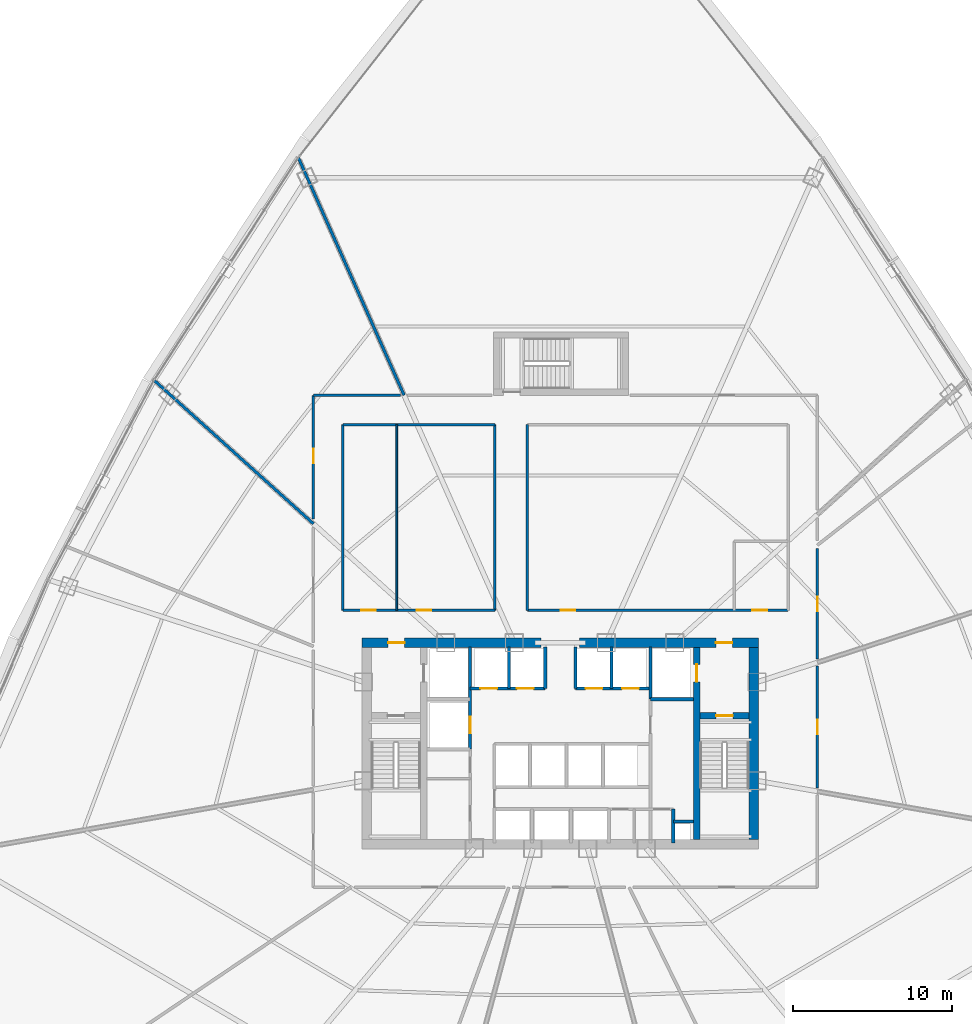
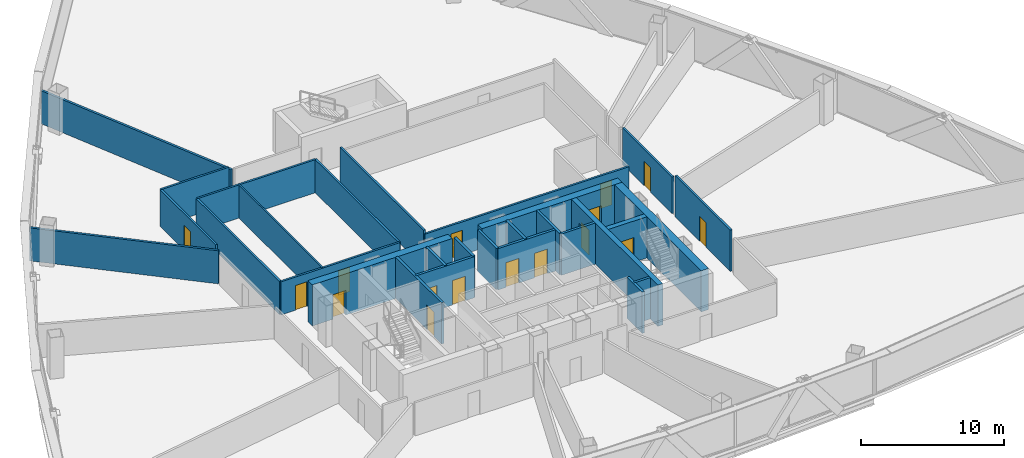
# One storey, part 35 of 41: 29 walls, 16 doors, 16 openings.
"""IFC4 building model written with IfcOpenShell, lengths in metres."""

import ifcopenshell
import ifcopenshell.guid

model = None  # the IFC model being written
_history = None  # IfcOwnerHistory: only IFC2X3 demands one
_inside = {}  # id of a spatial element -> (the spatial element, [elements in it])
_under = {}  # id of a project, library or spatial element -> (it, [spatial elements below it])
_declared = {}  # id of a project -> (the project, [libraries it declares])
_typed = {}  # id of a type object -> (the type object, [elements of that type])
_made_of = {}  # id of a material, layer set ... -> (it, [elements and type objects made of it])


def new_model(schema):
    """Start an empty IFC model of exactly this schema.

    Asked for "IFC4X3", IfcOpenShell would pick the latest addendum, in which some entities
    have other attributes; the version numbers below select the first issue.
    IFC2X3 requires an IfcOwnerHistory on every rooted entity: one is made here for all.
    """
    global model, _history
    if schema == "IFC4X3":
        model = ifcopenshell.file(schema_version=(4, 3, 0, 0))
    else:
        model = ifcopenshell.file(schema=schema)
    _inside.clear()
    _under.clear()
    _declared.clear()
    _typed.clear()
    _made_of.clear()
    _history = None
    if model.schema == "IFC2X3":
        org = make("IfcOrganization", Name="unknown")
        user = make(
            "IfcPersonAndOrganization",
            ThePerson=make("IfcPerson", FamilyName="unknown"),
            TheOrganization=org,
        )
        app = make(
            "IfcApplication",
            ApplicationDeveloper=org,
            Version="unknown",
            ApplicationFullName="unknown",
            ApplicationIdentifier="unknown",
        )
        _history = make(
            "IfcOwnerHistory",
            OwningUser=user,
            OwningApplication=app,
            ChangeAction="ADDED",
            CreationDate=0,
        )
    return model


def make(cls, **values):
    """One entity of the class cls with the attributes given. An attribute that is None is left unset."""
    return model.create_entity(
        cls, **{name: value for name, value in values.items() if value is not None}
    )


def rooted(cls, **values):
    """An entity with a GlobalId (a new one), such as an element, a storey or a relation."""
    return make(cls, GlobalId=ifcopenshell.guid.new(), OwnerHistory=_history, **values)


def si_unit(unit_type, name, prefix=None):
    """IfcSIUnit, for example si_unit("LENGTHUNIT", "METRE", prefix="MILLI")."""
    return make("IfcSIUnit", UnitType=unit_type, Prefix=prefix, Name=name)


def assignment(units):
    """IfcUnitAssignment: the units of a project."""
    return None if units is None else make("IfcUnitAssignment", Units=units)


def point(xyz):
    """IfcCartesianPoint."""
    return None if xyz is None else make("IfcCartesianPoint", Coordinates=xyz)


def direction(xyz):
    """IfcDirection."""
    return None if xyz is None else make("IfcDirection", DirectionRatios=xyz)


def frame(location, z_axis=None, x_axis=None):
    """IfcAxis2Placement3D, a coordinate frame: its origin and axes. An axis left out is left unset."""
    return make(
        "IfcAxis2Placement3D",
        Location=point(location),
        Axis=direction(z_axis),
        RefDirection=direction(x_axis),
    )


def frame_2d(location, x_axis=None):
    """IfcAxis2Placement2D, a coordinate frame in the plane: its origin and x axis."""
    return make(
        "IfcAxis2Placement2D", Location=point(location), RefDirection=direction(x_axis)
    )


def origin():
    """The frame at (0, 0, 0) with its axes left unset."""
    return frame((0.0, 0.0, 0.0))


def origin_with_axes():
    """The frame at (0, 0, 0) with the z axis (0, 0, 1) and the x axis (1, 0, 0) written out."""
    return frame((0.0, 0.0, 0.0), z_axis=(0.0, 0.0, 1.0), x_axis=(1.0, 0.0, 0.0))


def place(relative_to, where):
    """IfcLocalPlacement: puts the frame where relative to a parent placement (None: the world)."""
    return make(
        "IfcLocalPlacement", PlacementRelTo=relative_to, RelativePlacement=where
    )


def context(
    kind, dimensions, precision=None, world=None, true_north=None, identifier=None
):
    """IfcGeometricRepresentationContext, for example the 3D "Model" context."""
    return make(
        "IfcGeometricRepresentationContext",
        ContextIdentifier=identifier,
        ContextType=kind,
        CoordinateSpaceDimension=dimensions,
        Precision=precision,
        WorldCoordinateSystem=world,
        TrueNorth=true_north,
    )


def subcontext(parent, identifier, kind, view, scale=None):
    """IfcGeometricRepresentationSubContext, for example "Body" below "Model"."""
    return make(
        "IfcGeometricRepresentationSubContext",
        ContextIdentifier=identifier,
        ContextType=kind,
        ParentContext=parent,
        TargetScale=scale,
        TargetView=view,
    )


def project(units=None, contexts=None):
    """IfcProject with its units and contexts."""
    return rooted(
        "IfcProject",
        Name="project",
        RepresentationContexts=contexts,
        UnitsInContext=assignment(units),
    )


def spatial(cls, under=None, at=None, **own):
    """A site, building, storey or space (cls), placed at a placement, below another one or the project."""
    s = rooted(cls, ObjectPlacement=at, **own)
    if under is not None:
        _under.setdefault(under.id(), (under, []))[1].append(s)
    return s


def profile(cls, at=None, kind="AREA", **sizes):
    """A parametric profile (cls). Its sizes go by their IFC names, for example OverallWidth=200.0."""
    return make(cls, ProfileType=kind, Position=at, **sizes)


def rectangle(**sizes):
    """IfcRectangleProfileDef."""
    return profile("IfcRectangleProfileDef", **sizes)


def extrude(swept, where, along, depth):
    """IfcExtrudedAreaSolid: the profile swept, set in the frame where, extruded along a direction by depth."""
    return make(
        "IfcExtrudedAreaSolid",
        SweptArea=swept,
        Position=where,
        ExtrudedDirection=direction(along),
        Depth=depth,
    )


def shape(context_of_items, identifier, shape_type, items):
    """IfcShapeRepresentation: the items that make up one representation, for example the "Body"."""
    return make(
        "IfcShapeRepresentation",
        ContextOfItems=context_of_items,
        RepresentationIdentifier=identifier,
        RepresentationType=shape_type,
        Items=items,
    )


def source(mapping_origin, context_of_items, identifier, shape_type, items):
    """IfcRepresentationMap: a shape defined once, which mapped items show again and again."""
    return make(
        "IfcRepresentationMap",
        MappingOrigin=mapping_origin,
        MappedRepresentation=shape(context_of_items, identifier, shape_type, items),
    )


def transform(
    local_origin,
    x_axis=None,
    y_axis=None,
    z_axis=None,
    scale=None,
    scale2=None,
    scale3=None,
    uniform=True,
):
    """IfcCartesianTransformationOperator3D, or its non-uniform kind. x_axis, y_axis, z_axis: its Axis1, 2, 3."""
    if uniform:
        return make(
            "IfcCartesianTransformationOperator3D",
            Axis1=direction(x_axis),
            Axis2=direction(y_axis),
            LocalOrigin=point(local_origin),
            Scale=scale,
            Axis3=direction(z_axis),
        )
    return make(
        "IfcCartesianTransformationOperator3DnonUniform",
        Axis1=direction(x_axis),
        Axis2=direction(y_axis),
        LocalOrigin=point(local_origin),
        Scale=scale,
        Axis3=direction(z_axis),
        Scale2=scale2,
        Scale3=scale3,
    )


def mapped(mapping_source, mapping_target):
    """IfcMappedItem: shows the shape of a source again, moved by a transform."""
    return make(
        "IfcMappedItem", MappingSource=mapping_source, MappingTarget=mapping_target
    )


def material(Name=None, Category=None):
    """IfcMaterial."""
    return make("IfcMaterial", Name=Name, Category=Category)


def layer(
    of_material, thickness, ventilated=None, Name=None, Category=None, Priority=None
):
    """IfcMaterialLayer: one layer of a wall or slab, of a material (None: an air gap)."""
    return make(
        "IfcMaterialLayer",
        Material=of_material,
        LayerThickness=thickness,
        IsVentilated=ventilated,
        Name=Name,
        Category=Category,
        Priority=Priority,
    )


def layer_set(layers, Name=None):
    """IfcMaterialLayerSet."""
    return make("IfcMaterialLayerSet", MaterialLayers=layers, LayerSetName=Name)


def made_of(thing, what):
    """Note that an element or type object is made of a material, layer set ...; save() writes the relation."""
    if what is not None:
        _made_of.setdefault(what.id(), (what, []))[1].append(thing)
    return thing


def type_object(cls, material=None, **own):
    """A type object (cls), such as IfcWallType, which elements share."""
    return made_of(rooted(cls, **own), material)


def element(
    cls,
    number,
    at=None,
    inside=None,
    cuts=None,
    type_object=None,
    material=None,
    context=None,
    identifier="Body",
    shape_type=None,
    held_by="IfcProductDefinitionShape",
    body=None,
    shapes=None,
    **own,
):
    """One element of the class cls, such as IfcWall. Its Tag is "e" and its number.

    at: its placement. inside: the storey or other place that contains it. cuts: it is an
    opening in that element (IfcRelVoidsElement). A single representation is given by context,
    identifier, shape_type and body (its items); several are given by shapes. held_by: the class
    of the entity that holds the representations. save() writes the other relations.
    """
    e = rooted(cls, Tag="e%d" % number, ObjectPlacement=at, **own)
    if body is not None:
        shapes = [shape(context, identifier, shape_type, body)]
    if shapes is not None:
        e.Representation = make(held_by, Representations=shapes)
    if inside is not None:
        _inside.setdefault(inside.id(), (inside, []))[1].append(e)
    if cuts is not None:
        rooted(
            "IfcRelVoidsElement", RelatingBuildingElement=cuts, RelatedOpeningElement=e
        )
    if type_object is not None:
        _typed.setdefault(type_object.id(), (type_object, []))[1].append(e)
    return made_of(e, material)


def fill(opening, filler):
    """IfcRelFillsElement: the door or window that sits in an opening."""
    return rooted(
        "IfcRelFillsElement",
        RelatingOpeningElement=opening,
        RelatedBuildingElement=filler,
    )


def aggregate(whole, parts):
    """IfcRelAggregates: a whole, such as a stair, and the parts it consists of."""
    return rooted("IfcRelAggregates", RelatingObject=whole, RelatedObjects=parts)


def save(model, path):
    """Write the relations noted so far, then the file.

    IfcRelAggregates (storeys below a building ...), IfcRelContainedInSpatialStructure (elements
    in a storey), IfcRelDefinesByType, IfcRelAssociatesMaterial and IfcRelDeclares: one each for
    every whole, place, type object, material and project.
    """
    for whole, parts in _under.values():
        aggregate(whole, parts)
    for where, things in _inside.values():
        rooted(
            "IfcRelContainedInSpatialStructure",
            RelatedElements=things,
            RelatingStructure=where,
        )
    for kind, things in _typed.values():
        rooted("IfcRelDefinesByType", RelatedObjects=things, RelatingType=kind)
    for what, things in _made_of.values():
        rooted("IfcRelAssociatesMaterial", RelatedObjects=things, RelatingMaterial=what)
    for by, libraries in _declared.values():
        rooted("IfcRelDeclares", RelatingContext=by, RelatedDefinitions=libraries)
    model.write(path)


model = new_model("IFC4")

# Units and contexts
model_context = context("Model", 3, precision=1e-05, world=origin(), true_north=direction((0.0, 1.0)))
body_context = subcontext(model_context, "Body", "Model", "MODEL_VIEW")
ifc_project = project(units=[si_unit("LENGTHUNIT", "METRE"), si_unit("AREAUNIT", "SQUARE_METRE"), si_unit("VOLUMEUNIT", "CUBIC_METRE"), si_unit("PLANEANGLEUNIT", "RADIAN"), si_unit("MASSUNIT", "GRAM", prefix="KILO"), si_unit("THERMODYNAMICTEMPERATUREUNIT", "KELVIN"), si_unit("POWERUNIT", "WATT")], contexts=[model_context])

# Site, building, storey
site_placement = place(None, origin())
site = spatial("IfcSite", under=ifc_project, at=site_placement, CompositionType="ELEMENT")
building_placement = place(site_placement, origin())
building = spatial("IfcBuilding", under=site, at=building_placement, Name="Yunzhuo Pagoda Commons", CompositionType="ELEMENT")
storey_placement = place(building_placement, frame((0.0, 0.0, 115.3798828125)))
storey = spatial("IfcBuildingStorey", under=building, at=storey_placement, Name="L29", CompositionType="ELEMENT", Elevation=115.3798828125)

# Wall, opening, door
ifc_material_1 = material(Name="Concrete C60", Category="concrete")
ifc_layer_1 = layer(ifc_material_1, 0.60009765625)
ifc_layer_set_1 = layer_set([ifc_layer_1], Name="Concrete C60")
wall_type_1 = type_object("IfcWallType", Name="W-C02 Mid Core Shear Wall 600", PredefinedType="SHEAR", material=ifc_layer_set_1)
wall_1_placement = place(storey_placement, frame((35.5, 40.199951171875, 0.0), z_axis=(0.0, 0.0, 1.0), x_axis=(1.0, 0.0, 0.0)))
wall_1 = element("IfcWall", 1, at=wall_1_placement, inside=storey, type_object=wall_type_1, Name="L29 core shear wall NW", PredefinedType="SHEAR", context=body_context, shape_type="SweptSolid", body=[
    extrude(rectangle(XDim=11.300048828125, YDim=0.60009765625, at=frame_2d((5.64990234375, 0.0))), origin(), (0.0, 0.0, 1.0), 3.52001953125),
])
opening_1_placement = place(wall_1_placement, frame((1.64990234375, 0.0, 0.0)))
opening_1 = element("IfcOpeningElement", 2, at=opening_1_placement, cuts=wall_1, Name="Opening D-02", PredefinedType="OPENING", context=body_context, shape_type="SweptSolid", body=[
    extrude(rectangle(XDim=1.050048828125, YDim=2.10009765625, at=frame_2d((0.52490234375, 1.050048828125))), frame((0.0, 0.31005859375, 0.0), z_axis=(0.0, -1.0, 0.0), x_axis=(1.0, 0.0, 0.0)), (0.0, 0.0, 1.0), 0.6201171875),
])
ifc_material_2 = material(Name="Galvanized fire-resisting metal leaf")
door_type_1 = type_object("IfcDoorType", Name="D-02 Firefighting Lobby & Refuge Fire Door 1050x2100", OperationType="NOTDEFINED", PredefinedType="DOOR", material=ifc_material_2)
shared_shape_1 = source(origin(), body_context, "Body", "SweptSolid", [
    extrude(rectangle(XDim=1.050048828125, YDim=2.10009765625, at=frame_2d((0.52490234375, 1.050048828125))), frame((0.0, 0.02490234375, 0.0), z_axis=(0.0, -1.0, 0.0), x_axis=(1.0, 0.0, 0.0)), (0.0, 0.0, 1.0), 0.050048828125),
])
door_1_placement = place(opening_1_placement, frame((1.050048828125, 0.0, 0.0), z_axis=(0.0, 0.0, 1.0), x_axis=(-1.0, 0.0, 0.0)))
door_1 = element("IfcDoor", 3, at=door_1_placement, inside=storey, type_object=door_type_1, Name="L29 Firefighting Lobby 1 fire door", OperationType="SINGLE_SWING_LEFT", OverallHeight=2.10009765625, OverallWidth=1.050048828125, PredefinedType="DOOR", context=body_context, shape_type="MappedRepresentation", body=[
    mapped(shared_shape_1, transform((0.0, 0.0, 0.0), scale=1.0)),
])
fill(opening_1, door_1)

wall_2_placement = place(storey_placement, frame((49.199951171875, 40.199951171875, 0.0), z_axis=(0.0, 0.0, 1.0), x_axis=(1.0, 0.0, 0.0)))
wall_2 = element("IfcWall", 4, at=wall_2_placement, inside=storey, type_object=wall_type_1, Name="L29 core shear wall NE", PredefinedType="SHEAR", context=body_context, shape_type="SweptSolid", body=[
    extrude(rectangle(XDim=11.300048828125, YDim=0.60009765625, at=frame_2d((5.64990234375, 0.0))), origin(), (0.0, 0.0, 1.0), 3.52001953125),
])
opening_2_placement = place(wall_2_placement, frame((8.60009765625, 0.0, 0.0)))
opening_2 = element("IfcOpeningElement", 5, at=opening_2_placement, cuts=wall_2, Name="Opening D-02", PredefinedType="OPENING", context=body_context, shape_type="SweptSolid", body=[
    extrude(rectangle(XDim=1.050048828125, YDim=2.10009765625, at=frame_2d((0.52490234375, 1.050048828125))), frame((0.0, 0.31005859375, 0.0), z_axis=(0.0, -1.0, 0.0), x_axis=(1.0, 0.0, 0.0)), (0.0, 0.0, 1.0), 0.6201171875),
])
door_2_placement = place(opening_2_placement, frame((1.050048828125, 0.0, 0.0), z_axis=(0.0, 0.0, 1.0), x_axis=(-1.0, 0.0, 0.0)))
door_2 = element("IfcDoor", 6, at=door_2_placement, inside=storey, type_object=door_type_1, Name="L29 Firefighting Lobby 2 fire door", OperationType="SINGLE_SWING_RIGHT", OverallHeight=2.10009765625, OverallWidth=1.050048828125, PredefinedType="DOOR", context=body_context, shape_type="MappedRepresentation", body=[
    mapped(shared_shape_1, transform((0.0, 0.0, 0.0), scale=1.0)),
])
fill(opening_2, door_2)

# Wall
wall_3_placement = place(storey_placement, frame((60.199951171875, 27.800048828125, 0.0), z_axis=(0.0, 0.0, 1.0), x_axis=(0.0, 1.0, 0.0)))
element("IfcWall", 7, at=wall_3_placement, inside=storey, type_object=wall_type_1, Name="L29 core shear wall E", PredefinedType="SHEAR", context=body_context, shape_type="SweptSolid", body=[
    extrude(rectangle(XDim=12.099853515625, YDim=0.60009765625, at=frame_2d((6.0498046875, 0.0))), origin(), (0.0, 0.0, 1.0), 3.52001953125),
])

# Wall, openings, doors
ifc_material_3 = material(Name="Gypsum plasterboard on acoustic stud")
ifc_layer_2 = layer(ifc_material_3, 0.159912109375)
ifc_layer_set_2 = layer_set([ifc_layer_2], Name="Gypsum plasterboard on acoustic stud")
wall_type_2 = type_object("IfcWallType", Name="W-COR1 Tower Rated Corridor Wall 160", PredefinedType="PARTITIONING", material=ifc_layer_set_2)
wall_4_placement = place(storey_placement, frame((34.300048828125, 42.25, 0.0), z_axis=(0.0, 0.0, 1.0), x_axis=(1.0, 0.0, 0.0)))
wall_4 = element("IfcWall", 8, at=wall_4_placement, inside=storey, type_object=wall_type_2, Name="L29 interior wall IW-L29-ISLWS", PredefinedType="PARTITIONING", context=body_context, shape_type="SweptSolid", body=[
    extrude(rectangle(XDim=9.579833984375, YDim=0.159912109375, at=frame_2d((4.7900390625, 0.0))), origin(), (0.0, 0.0, 1.0), 2.820068359375),
])
opening_3_placement = place(wall_4_placement, frame((1.14990234375, 0.0, 0.0)))
opening_3 = element("IfcOpeningElement", 9, at=opening_3_placement, cuts=wall_4, Name="Opening D-04", PredefinedType="OPENING", context=body_context, shape_type="SweptSolid", body=[
    extrude(rectangle(XDim=0.919921875, YDim=2.10009765625, at=frame_2d((0.4599609375, 1.050048828125))), frame((0.0, 0.08984375, 0.0), z_axis=(0.0, -1.0, 0.0), x_axis=(1.0, 0.0, 0.0)), (0.0, 0.0, 1.0), 0.179931640625),
])
opening_4_placement = place(wall_4_placement, frame((4.64990234375, 0.0, 0.0)))
opening_4 = element("IfcOpeningElement", 10, at=opening_4_placement, cuts=wall_4, Name="Opening D-04", PredefinedType="OPENING", context=body_context, shape_type="SweptSolid", body=[
    extrude(rectangle(XDim=0.919921875, YDim=2.10009765625, at=frame_2d((0.4599609375, 1.050048828125))), frame((0.0, 0.08984375, 0.0), z_axis=(0.0, -1.0, 0.0), x_axis=(1.0, 0.0, 0.0)), (0.0, 0.0, 1.0), 0.179931640625),
])
ifc_material_4 = material(Name="Powder-coated aluminium and timber acoustic leaf", Category="wood")
door_type_2 = type_object("IfcDoorType", Name="D-04 Bedroom & Study Interior Door 920x2100", OperationType="NOTDEFINED", PredefinedType="DOOR", material=ifc_material_4)
shared_shape_2 = source(origin(), body_context, "Body", "SweptSolid", [
    extrude(rectangle(XDim=0.919921875, YDim=2.10009765625, at=frame_2d((0.4599609375, 1.050048828125))), frame((0.0, 0.02490234375, 0.0), z_axis=(0.0, -1.0, 0.0), x_axis=(1.0, 0.0, 0.0)), (0.0, 0.0, 1.0), 0.050048828125),
])
door_3_placement = place(opening_3_placement, frame((0.919921875, 0.0, 0.0), z_axis=(0.0, 0.0, 1.0), x_axis=(-1.0, 0.0, 0.0)))
door_3 = element("IfcDoor", 11, at=door_3_placement, inside=storey, type_object=door_type_2, Name="L29 laundry door", OperationType="SINGLE_SWING_LEFT", OverallHeight=2.10009765625, OverallWidth=0.919921875, PredefinedType="DOOR", context=body_context, shape_type="MappedRepresentation", body=[
    mapped(shared_shape_2, transform((0.0, 0.0, 0.0), scale=1.0)),
])
fill(opening_3, door_3)
door_4_placement = place(opening_4_placement, frame((0.919921875, 0.0, 0.0), z_axis=(0.0, 0.0, 1.0), x_axis=(-1.0, 0.0, 0.0)))
door_4 = element("IfcDoor", 12, at=door_4_placement, inside=storey, type_object=door_type_2, Name="L29 study commons W door", OperationType="SINGLE_SWING_RIGHT", OverallHeight=2.10009765625, OverallWidth=0.919921875, PredefinedType="DOOR", context=body_context, shape_type="MappedRepresentation", body=[
    mapped(shared_shape_2, transform((0.0, 0.0, 0.0), scale=1.0)),
])
fill(opening_4, door_4)

# Walls
wall_5_placement = place(storey_placement, frame((34.300048828125, 53.949951171875, 0.0), z_axis=(0.0, 0.0, 1.0), x_axis=(1.0, 0.0, 0.0)))
element("IfcWall", 13, at=wall_5_placement, inside=storey, type_object=wall_type_2, Name="L29 interior wall IW-L29-ISLWN", PredefinedType="PARTITIONING", context=body_context, shape_type="SweptSolid", body=[
    extrude(rectangle(XDim=9.579833984375, YDim=0.159912109375, at=frame_2d((4.7900390625, 0.0))), origin(), (0.0, 0.0, 1.0), 2.820068359375),
])
for number, where, z_axis, x_axis, name in (
    (14, (34.300048828125, 42.25, 0.0), (0.0, 0.0, 1.0), (0.0, 1.0, 0.0), "L29 interior wall IW-L29-ISLWW"),
    (15, (43.8798828125, 42.25, 0.0), (0.0, 0.0, 1.0), (0.0, 1.0, 0.0), "L29 interior wall IW-L29-ISLWE"),
):
    element("IfcWall", number, at=place(storey_placement, frame(where, z_axis=z_axis, x_axis=x_axis)), inside=storey, type_object=wall_type_2, Name=name, PredefinedType="PARTITIONING", context=body_context, shape_type="SweptSolid", body=[
        extrude(rectangle(XDim=11.699951171875, YDim=0.159912109375, at=frame_2d((5.85009765625, 0.0))), origin(), (0.0, 0.0, 1.0), 2.820068359375),
    ])

# Wall, openings, doors
wall_6_placement = place(storey_placement, frame((45.919921875, 42.25, 0.0), z_axis=(0.0, 0.0, 1.0), x_axis=(1.0, 0.0, 0.0)))
wall_6 = element("IfcWall", 16, at=wall_6_placement, inside=storey, type_object=wall_type_2, Name="L29 interior wall IW-L29-ISLES", PredefinedType="PARTITIONING", context=body_context, shape_type="SweptSolid", body=[
    extrude(rectangle(XDim=16.43017578125, YDim=0.159912109375, at=frame_2d((8.215087890625, 0.0))), origin(), (0.0, 0.0, 1.0), 2.820068359375),
])
opening_5_placement = place(wall_6_placement, frame((2.10009765625, 0.0, 0.0)))
opening_5 = element("IfcOpeningElement", 17, at=opening_5_placement, cuts=wall_6, Name="Opening D-04", PredefinedType="OPENING", context=body_context, shape_type="SweptSolid", body=[
    extrude(rectangle(XDim=0.919921875, YDim=2.10009765625, at=frame_2d((0.4599609375, 1.050048828125))), frame((0.0, 0.08984375, 0.0), z_axis=(0.0, -1.0, 0.0), x_axis=(1.0, 0.0, 0.0)), (0.0, 0.0, 1.0), 0.179931640625),
])
opening_6_placement = place(wall_6_placement, frame((14.179931640625, 0.0, 0.0)))
opening_6 = element("IfcOpeningElement", 18, at=opening_6_placement, cuts=wall_6, Name="Opening D-11", PredefinedType="OPENING", context=body_context, shape_type="SweptSolid", body=[
    extrude(rectangle(XDim=0.93994140625, YDim=2.10009765625, at=frame_2d((0.469970703125, 1.050048828125))), frame((0.0, 0.08984375, 0.0), z_axis=(0.0, -1.0, 0.0), x_axis=(1.0, 0.0, 0.0)), (0.0, 0.0, 1.0), 0.179931640625),
])
door_type_3 = type_object("IfcDoorType", Name="D-11 Accessible Washroom Fire Door 940x2100", OperationType="NOTDEFINED", PredefinedType="DOOR", material=ifc_material_2)
shared_shape_3 = source(origin(), body_context, "Body", "SweptSolid", [
    extrude(rectangle(XDim=0.93994140625, YDim=2.10009765625, at=frame_2d((0.469970703125, 1.050048828125))), frame((0.0, 0.02490234375, 0.0), z_axis=(0.0, -1.0, 0.0), x_axis=(1.0, 0.0, 0.0)), (0.0, 0.0, 1.0), 0.050048828125),
])
door_5_placement = place(opening_6_placement, frame((0.93994140625, 0.0, 0.0), z_axis=(0.0, 0.0, 1.0), x_axis=(-1.0, 0.0, 0.0)))
door_5 = element("IfcDoor", 19, at=door_5_placement, inside=storey, type_object=door_type_3, Name="L29 accessible WC door", OperationType="SINGLE_SWING_RIGHT", OverallHeight=2.10009765625, OverallWidth=0.93994140625, PredefinedType="DOOR", context=body_context, shape_type="MappedRepresentation", body=[
    mapped(shared_shape_3, transform((0.0, 0.0, 0.0), scale=1.0)),
])
fill(opening_6, door_5)
door_6_placement = place(opening_5_placement, frame((0.919921875, 0.0, 0.0), z_axis=(0.0, 0.0, 1.0), x_axis=(-1.0, 0.0, 0.0)))
door_6 = element("IfcDoor", 20, at=door_6_placement, inside=storey, type_object=door_type_2, Name="L29 reading commons door", OperationType="SINGLE_SWING_LEFT", OverallHeight=2.10009765625, OverallWidth=0.919921875, PredefinedType="DOOR", context=body_context, shape_type="MappedRepresentation", body=[
    mapped(shared_shape_2, transform((0.0, 0.0, 0.0), scale=1.0)),
])
fill(opening_5, door_6)

# Wall
wall_7_placement = place(storey_placement, frame((45.919921875, 42.25, 0.0), z_axis=(0.0, 0.0, 1.0), x_axis=(0.0, 1.0, 0.0)))
element("IfcWall", 21, at=wall_7_placement, inside=storey, type_object=wall_type_2, Name="L29 interior wall IW-L29-ISLEW", PredefinedType="PARTITIONING", context=body_context, shape_type="SweptSolid", body=[
    extrude(rectangle(XDim=11.699951171875, YDim=0.159912109375, at=frame_2d((5.85009765625, 0.0))), origin(), (0.0, 0.0, 1.0), 3.1201171875),
])

# Wall, opening, door
wall_8_placement = place(storey_placement, frame((32.449951171875, 47.997314453125, 0.0), z_axis=(0.0, 0.0, 1.0), x_axis=(0.0, 1.0, 0.0)))
wall_8 = element("IfcWall", 22, at=wall_8_placement, inside=storey, type_object=wall_type_2, Name="L29 interior wall IW-L29-CWL04", PredefinedType="PARTITIONING", context=body_context, shape_type="SweptSolid", body=[
    extrude(rectangle(XDim=7.802734375, YDim=0.159912109375, at=frame_2d((3.9013671875, 0.0))), origin(), (0.0, 0.0, 1.0), 3.1201171875),
])
opening_7_placement = place(wall_8_placement, frame((3.523193359375, 0.0, 0.0)))
opening_7 = element("IfcOpeningElement", 23, at=opening_7_placement, cuts=wall_8, Name="Opening D-04", PredefinedType="OPENING", context=body_context, shape_type="SweptSolid", body=[
    extrude(rectangle(XDim=0.919921875, YDim=2.10009765625, at=frame_2d((0.4599609375, 1.050048828125))), frame((0.0, 0.08984375, 0.0), z_axis=(0.0, -1.0, 0.0), x_axis=(1.0, 0.0, 0.0)), (0.0, 0.0, 1.0), 0.179931640625),
])
door_7_placement = place(opening_7_placement, origin_with_axes())
door_7 = element("IfcDoor", 24, at=door_7_placement, inside=storey, type_object=door_type_2, Name="L29 seminar room 05 door", OperationType="SINGLE_SWING_RIGHT", OverallHeight=2.10009765625, OverallWidth=0.919921875, PredefinedType="DOOR", context=body_context, shape_type="MappedRepresentation", body=[
    mapped(shared_shape_2, transform((0.0, 0.0, 0.0), scale=1.0)),
])
fill(opening_7, door_7)

# Wall
wall_9_placement = place(storey_placement, frame((32.449951171875, 55.800048828125, 0.0), z_axis=(0.0, 0.0, 1.0), x_axis=(1.0, 0.0, 0.0)))
element("IfcWall", 25, at=wall_9_placement, inside=storey, type_object=wall_type_2, Name="L29 interior wall IW-L29-CWL05", PredefinedType="PARTITIONING", context=body_context, shape_type="SweptSolid", body=[
    extrude(rectangle(XDim=5.4697265625, YDim=0.159912109375, at=frame_2d((2.73486328125, 0.0))), origin(), (0.0, 0.0, 1.0), 3.1201171875),
])

# Wall, opening, door
wall_10_placement = place(storey_placement, frame((64.199951171875, 46.136962890625, 0.0), z_axis=(0.0, 0.0, 1.0), x_axis=(0.0, -1.0, 0.0)))
wall_10 = element("IfcWall", 26, at=wall_10_placement, inside=storey, type_object=wall_type_2, Name="L29 interior wall IW-L29-CWL10", PredefinedType="PARTITIONING", context=body_context, shape_type="SweptSolid", body=[
    extrude(rectangle(XDim=6.94189453125, YDim=0.159912109375, at=frame_2d((3.470947265625, 0.0))), origin(), (0.0, 0.0, 1.0), 3.1201171875),
])
opening_8_placement = place(wall_10_placement, frame((3.0166015625, 0.0, 0.0)))
opening_8 = element("IfcOpeningElement", 27, at=opening_8_placement, cuts=wall_10, Name="Opening D-04", PredefinedType="OPENING", context=body_context, shape_type="SweptSolid", body=[
    extrude(rectangle(XDim=0.919921875, YDim=2.10009765625, at=frame_2d((0.4599609375, 1.050048828125))), frame((0.0, 0.08984375, 0.0), z_axis=(0.0, -1.0, 0.0), x_axis=(1.0, 0.0, 0.0)), (0.0, 0.0, 1.0), 0.179931640625),
])
door_8_placement = place(opening_8_placement, origin_with_axes())
door_8 = element("IfcDoor", 28, at=door_8_placement, inside=storey, type_object=door_type_2, Name="L29 seminar room 02 door", OperationType="SINGLE_SWING_LEFT", OverallHeight=2.10009765625, OverallWidth=0.919921875, PredefinedType="DOOR", context=body_context, shape_type="MappedRepresentation", body=[
    mapped(shared_shape_2, transform((0.0, 0.0, 0.0), scale=1.0)),
])
fill(opening_8, door_8)

wall_11_placement = place(storey_placement, frame((64.199951171875, 38.743896484375, 0.0), z_axis=(0.0, 0.0, 1.0), x_axis=(0.0, -1.0, 0.0)))
wall_11 = element("IfcWall", 29, at=wall_11_placement, inside=storey, type_object=wall_type_2, Name="L29 interior wall IW-L29-CWL11", PredefinedType="PARTITIONING", context=body_context, shape_type="SweptSolid", body=[
    extrude(rectangle(XDim=7.6806640625, YDim=0.159912109375, at=frame_2d((3.84033203125, 0.0))), origin(), (0.0, 0.0, 1.0), 3.52001953125),
])
opening_9_placement = place(wall_11_placement, frame((3.38037109375, 0.0, 0.0)))
opening_9 = element("IfcOpeningElement", 30, at=opening_9_placement, cuts=wall_11, Name="Opening D-04", PredefinedType="OPENING", context=body_context, shape_type="SweptSolid", body=[
    extrude(rectangle(XDim=0.919921875, YDim=2.10009765625, at=frame_2d((0.4599609375, 1.050048828125))), frame((0.0, 0.08984375, 0.0), z_axis=(0.0, -1.0, 0.0), x_axis=(1.0, 0.0, 0.0)), (0.0, 0.0, 1.0), 0.179931640625),
])
door_9_placement = place(opening_9_placement, origin_with_axes())
door_9 = element("IfcDoor", 31, at=door_9_placement, inside=storey, type_object=door_type_2, Name="L29 seminar room 01 door", OperationType="SINGLE_SWING_RIGHT", OverallHeight=2.10009765625, OverallWidth=0.919921875, PredefinedType="DOOR", context=body_context, shape_type="MappedRepresentation", body=[
    mapped(shared_shape_2, transform((0.0, 0.0, 0.0), scale=1.0)),
])
fill(opening_9, door_9)

# Walls
ifc_layer_3 = layer(ifc_material_3, 0.1201171875)
ifc_layer_set_3 = layer_set([ifc_layer_3], Name="Gypsum plasterboard on acoustic stud")
wall_type_3 = type_object("IfcWallType", Name="W-PRT1 Suite & Bathroom Partition 120", PredefinedType="PARTITIONING", material=ifc_layer_set_3)
wall_12_placement = place(storey_placement, frame((37.699951171875, 42.25, 0.0), z_axis=(0.0, 0.0, 1.0), x_axis=(0.0, 1.0, 0.0)))
element("IfcWall", 32, at=wall_12_placement, inside=storey, type_object=wall_type_3, Name="L29 interior wall IW-L29-ISLW1", PredefinedType="PARTITIONING", context=body_context, shape_type="SweptSolid", body=[
    extrude(rectangle(XDim=11.699951171875, YDim=0.1201171875, at=frame_2d((5.85009765625, 0.0))), origin(), (0.0, 0.0, 1.0), 2.820068359375),
])
ifc_layer_4 = layer(ifc_material_3, 0.179931640625)
ifc_layer_set_4 = layer_set([ifc_layer_4], Name="Gypsum plasterboard on acoustic stud")
wall_type_4 = type_object("IfcWallType", Name="W-PRT2 Acoustic Unit Demising Wall 180", PredefinedType="PARTITIONING", material=ifc_layer_set_4)
wall_13_placement = place(storey_placement, frame((38.160400390625, 55.800048828125, 0.0), z_axis=(0.0, 0.0, 1.0), x_axis=(-0.406727469891, 0.913549541753, 0.0)))
element("IfcWall", 33, at=wall_13_placement, inside=storey, type_object=wall_type_4, Name="L29 interior wall IW-L29-RAD04", PredefinedType="PARTITIONING", context=body_context, shape_type="SweptSolid", body=[
    extrude(rectangle(XDim=16.381103515625, YDim=0.179931640625, at=frame_2d((8.1904296875, 0.0))), origin(), (0.0, 0.0, 1.0), 2.820068359375),
])
wall_14_placement = place(storey_placement, frame((32.449951171875, 47.701416015625, 0.0), z_axis=(0.0, 0.0, 1.0), x_axis=(-0.743139607037, 0.669136401979, 0.0)))
element("IfcWall", 34, at=wall_14_placement, inside=storey, type_object=wall_type_4, Name="L29 interior wall IW-L29-RAD05", PredefinedType="PARTITIONING", context=body_context, shape_type="SweptSolid", body=[
    extrude(rectangle(XDim=13.512939453125, YDim=0.179931640625, at=frame_2d((6.75634765625, 0.0))), origin(), (0.0, 0.0, 1.0), 2.820068359375),
])

# Wall, opening, door
ifc_layer_5 = layer(ifc_material_1, 0.39990234375)
ifc_layer_set_5 = layer_set([ifc_layer_5], Name="Concrete C60")
wall_type_5 = type_object("IfcWallType", Name="W-S01 Internal Core Shear Web 400", PredefinedType="SHEAR", material=ifc_layer_set_5)
wall_15_placement = place(storey_placement, frame((56.60009765625, 27.800048828125, 0.0), z_axis=(0.0, 0.0, 1.0), x_axis=(0.0, 1.0, 0.0)))
wall_15 = element("IfcWall", 35, at=wall_15_placement, inside=storey, type_object=wall_type_5, Name="L29 core shear wall WEBE", PredefinedType="SHEAR", context=body_context, shape_type="SweptSolid", body=[
    extrude(rectangle(XDim=12.099853515625, YDim=0.39990234375, at=frame_2d((6.0498046875, 0.0))), origin(), (0.0, 0.0, 1.0), 3.52001953125),
])
opening_10_placement = place(wall_15_placement, frame((9.949951171875, 0.0, 0.0)))
opening_10 = element("IfcOpeningElement", 36, at=opening_10_placement, cuts=wall_15, Name="Opening LD-01", PredefinedType="OPENING", context=body_context, shape_type="SweptSolid", body=[
    extrude(rectangle(XDim=1.10009765625, YDim=2.10009765625, at=frame_2d((0.550048828125, 1.050048828125))), frame((0.0, 0.2099609375, 0.0), z_axis=(0.0, -1.0, 0.0), x_axis=(1.0, 0.0, 0.0)), (0.0, 0.0, 1.0), 0.419921875),
])
door_type_4 = type_object("IfcDoorType", Name="LD-01 Firefighting Lift Landing Door 1100x2100", OperationType="DOUBLE_DOOR_SLIDING", PredefinedType="DOOR", material=ifc_material_2)
shared_shape_4 = source(origin(), body_context, "Body", "SweptSolid", [
    extrude(rectangle(XDim=1.10009765625, YDim=2.10009765625, at=frame_2d((0.550048828125, 1.050048828125))), frame((0.0, 0.02490234375, 0.0), z_axis=(0.0, -1.0, 0.0), x_axis=(1.0, 0.0, 0.0)), (0.0, 0.0, 1.0), 0.050048828125),
])
door_10_placement = place(opening_10_placement, origin_with_axes())
door_10 = element("IfcDoor", 37, at=door_10_placement, inside=storey, type_object=door_type_4, Name="L29 Firefighting lift FL-2 landing door", OperationType="DOUBLE_DOOR_SLIDING", OverallHeight=2.10009765625, OverallWidth=1.10009765625, PredefinedType="DOOR", context=body_context, shape_type="MappedRepresentation", body=[
    mapped(shared_shape_4, transform((0.0, 0.0, 0.0), scale=1.0)),
])
fill(opening_10, door_10)

wall_16_placement = place(storey_placement, frame((56.800048828125, 35.60009765625, 0.0), z_axis=(0.0, 0.0, 1.0), x_axis=(1.0, 0.0, 0.0)))
wall_16 = element("IfcWall", 38, at=wall_16_placement, inside=storey, type_object=wall_type_5, Name="L29 core shear wall STE", PredefinedType="SHEAR", context=body_context, shape_type="SweptSolid", body=[
    extrude(rectangle(XDim=3.099853515625, YDim=0.39990234375, at=frame_2d((1.5498046875, 0.0))), origin(), (0.0, 0.0, 1.0), 3.52001953125),
])
opening_11_placement = place(wall_16_placement, frame((1.02001953125, 0.0, 0.0)))
opening_11 = element("IfcOpeningElement", 39, at=opening_11_placement, cuts=wall_16, Name="Opening D-01", PredefinedType="OPENING", context=body_context, shape_type="SweptSolid", body=[
    extrude(rectangle(XDim=1.050048828125, YDim=2.10009765625, at=frame_2d((0.52490234375, 1.050048828125))), frame((0.0, 0.2099609375, 0.0), z_axis=(0.0, -1.0, 0.0), x_axis=(1.0, 0.0, 0.0)), (0.0, 0.0, 1.0), 0.419921875),
])
door_type_5 = type_object("IfcDoorType", Name="D-01 Smokeproof Stair Fire Door 1050x2100", OperationType="NOTDEFINED", PredefinedType="DOOR", material=ifc_material_2)
door_11_placement = place(opening_11_placement, frame((1.050048828125, 0.0, 0.0), z_axis=(0.0, 0.0, 1.0), x_axis=(-1.0, 0.0, 0.0)))
door_11 = element("IfcDoor", 40, at=door_11_placement, inside=storey, type_object=door_type_5, Name="L29 Stair ST2 fire door", OperationType="SINGLE_SWING_RIGHT", OverallHeight=2.10009765625, OverallWidth=1.050048828125, PredefinedType="DOOR", context=body_context, shape_type="MappedRepresentation", body=[
    mapped(shared_shape_1, transform((0.0, 0.0, 0.0), scale=1.0)),
])
fill(opening_11, door_11)

ifc_material_5 = material(Name="Concrete C40", Category="concrete")
ifc_layer_6 = layer(ifc_material_5, 0.199951171875)
ifc_layer_set_6 = layer_set([ifc_layer_6], Name="Concrete C40")
wall_type_6 = type_object("IfcWallType", Name="W-SHF Shaft & Stair Enclosure Wall 200", PredefinedType="SOLIDWALL", material=ifc_layer_set_6)
wall_17_placement = place(storey_placement, frame((42.320068359375, 33.5, 0.0), z_axis=(0.0, 0.0, 1.0), x_axis=(0.0, 1.0, 0.0)))
wall_17 = element("IfcWall", 41, at=wall_17_placement, inside=storey, type_object=wall_type_6, Name="L29 interior wall IW-L29-FL1E", PredefinedType="SOLIDWALL", context=body_context, shape_type="SweptSolid", body=[
    extrude(rectangle(XDim=6.449951171875, YDim=0.199951171875, at=frame_2d((3.22509765625, 0.0))), origin(), (0.0, 0.0, 1.0), 3.52001953125),
])
opening_12_placement = place(wall_17_placement, frame((1.0, 0.0, 0.0)))
opening_12 = element("IfcOpeningElement", 42, at=opening_12_placement, cuts=wall_17, Name="Opening LD-02", PredefinedType="OPENING", context=body_context, shape_type="SweptSolid", body=[
    extrude(rectangle(XDim=1.050048828125, YDim=2.10009765625, at=frame_2d((0.52490234375, 1.050048828125))), frame((0.0, 0.10986328125, 0.0), z_axis=(0.0, -1.0, 0.0), x_axis=(1.0, 0.0, 0.0)), (0.0, 0.0, 1.0), 0.219970703125),
])
door_type_6 = type_object("IfcDoorType", Name="LD-02 Passenger Lift Landing Door 1050x2100", OperationType="DOUBLE_DOOR_SLIDING", PredefinedType="DOOR", material=ifc_material_2)
door_12_placement = place(opening_12_placement, origin_with_axes())
door_12 = element("IfcDoor", 43, at=door_12_placement, inside=storey, type_object=door_type_6, Name="L29 Service lift SL-1 landing door", OperationType="DOUBLE_DOOR_SLIDING", OverallHeight=2.10009765625, OverallWidth=1.050048828125, PredefinedType="DOOR", context=body_context, shape_type="MappedRepresentation", body=[
    mapped(shared_shape_1, transform((0.0, 0.0, 0.0), scale=1.0)),
])
fill(opening_12, door_12)

# Walls
wall_18_placement = place(storey_placement, frame((53.679931640625, 36.64990234375, 0.0), z_axis=(0.0, 0.0, 1.0), x_axis=(0.0, 1.0, 0.0)))
element("IfcWall", 44, at=wall_18_placement, inside=storey, type_object=wall_type_6, Name="L29 interior wall IW-L29-FL2W", PredefinedType="SOLIDWALL", context=body_context, shape_type="SweptSolid", body=[
    extrude(rectangle(XDim=3.300048828125, YDim=0.199951171875, at=frame_2d((1.64990234375, 0.0))), origin(), (0.0, 0.0, 1.0), 3.52001953125),
])
wall_19_placement = place(storey_placement, frame((53.679931640625, 36.64990234375, 0.0), z_axis=(0.0, 0.0, 1.0), x_axis=(1.0, 0.0, 0.0)))
element("IfcWall", 45, at=wall_19_placement, inside=storey, type_object=wall_type_6, Name="L29 interior wall IW-L29-FL2S", PredefinedType="SOLIDWALL", context=body_context, shape_type="SweptSolid", body=[
    extrude(rectangle(XDim=2.719970703125, YDim=0.199951171875, at=frame_2d((1.35986328125, 0.0))), origin(), (0.0, 0.0, 1.0), 3.52001953125),
])

# Wall, openings, doors
wall_20_placement = place(storey_placement, frame((42.320068359375, 37.320068359375, 0.0), z_axis=(0.0, 0.0, 1.0), x_axis=(1.0, 0.0, 0.0)))
wall_20 = element("IfcWall", 46, at=wall_20_placement, inside=storey, type_object=wall_type_6, Name="L29 interior wall IW-L29-LBNW", PredefinedType="SOLIDWALL", context=body_context, shape_type="SweptSolid", body=[
    extrude(rectangle(XDim=4.72998046875, YDim=0.199951171875, at=frame_2d((2.364990234375, 0.0))), origin(), (0.0, 0.0, 1.0), 3.52001953125),
])
opening_13_placement = place(wall_20_placement, frame((0.64990234375, 0.0, 0.0)))
opening_13 = element("IfcOpeningElement", 47, at=opening_13_placement, cuts=wall_20, Name="Opening LD-02", PredefinedType="OPENING", context=body_context, shape_type="SweptSolid", body=[
    extrude(rectangle(XDim=1.050048828125, YDim=2.10009765625, at=frame_2d((0.52490234375, 1.050048828125))), frame((0.0, 0.10986328125, 0.0), z_axis=(0.0, -1.0, 0.0), x_axis=(1.0, 0.0, 0.0)), (0.0, 0.0, 1.0), 0.219970703125),
])
opening_14_placement = place(wall_20_placement, frame((2.949951171875, 0.0, 0.0)))
opening_14 = element("IfcOpeningElement", 48, at=opening_14_placement, cuts=wall_20, Name="Opening LD-02", PredefinedType="OPENING", context=body_context, shape_type="SweptSolid", body=[
    extrude(rectangle(XDim=1.050048828125, YDim=2.10009765625, at=frame_2d((0.52490234375, 1.050048828125))), frame((0.0, 0.10986328125, 0.0), z_axis=(0.0, -1.0, 0.0), x_axis=(1.0, 0.0, 0.0)), (0.0, 0.0, 1.0), 0.219970703125),
])
door_13_placement = place(opening_13_placement, frame((1.050048828125, 0.0, 0.0), z_axis=(0.0, 0.0, 1.0), x_axis=(-1.0, 0.0, 0.0)))
door_13 = element("IfcDoor", 49, at=door_13_placement, inside=storey, type_object=door_type_6, Name="L29 Passenger lift PL-L1 landing door", OperationType="DOUBLE_DOOR_SLIDING", OverallHeight=2.10009765625, OverallWidth=1.050048828125, PredefinedType="DOOR", context=body_context, shape_type="MappedRepresentation", body=[
    mapped(shared_shape_1, transform((0.0, 0.0, 0.0), scale=1.0)),
])
fill(opening_13, door_13)
door_14_placement = place(opening_14_placement, frame((1.050048828125, 0.0, 0.0), z_axis=(0.0, 0.0, 1.0), x_axis=(-1.0, 0.0, 0.0)))
door_14 = element("IfcDoor", 50, at=door_14_placement, inside=storey, type_object=door_type_6, Name="L29 Passenger lift PL-L2 landing door", OperationType="DOUBLE_DOOR_SLIDING", OverallHeight=2.10009765625, OverallWidth=1.050048828125, PredefinedType="DOOR", context=body_context, shape_type="MappedRepresentation", body=[
    mapped(shared_shape_1, transform((0.0, 0.0, 0.0), scale=1.0)),
])
fill(opening_14, door_14)

wall_21_placement = place(storey_placement, frame((48.949951171875, 37.320068359375, 0.0), z_axis=(0.0, 0.0, 1.0), x_axis=(1.0, 0.0, 0.0)))
wall_21 = element("IfcWall", 51, at=wall_21_placement, inside=storey, type_object=wall_type_6, Name="L29 interior wall IW-L29-LBNE", PredefinedType="SOLIDWALL", context=body_context, shape_type="SweptSolid", body=[
    extrude(rectangle(XDim=4.72998046875, YDim=0.199951171875, at=frame_2d((2.364990234375, 0.0))), origin(), (0.0, 0.0, 1.0), 3.52001953125),
])
opening_15_placement = place(wall_21_placement, frame((0.64990234375, 0.0, 0.0)))
opening_15 = element("IfcOpeningElement", 52, at=opening_15_placement, cuts=wall_21, Name="Opening LD-02", PredefinedType="OPENING", context=body_context, shape_type="SweptSolid", body=[
    extrude(rectangle(XDim=1.050048828125, YDim=2.10009765625, at=frame_2d((0.52490234375, 1.050048828125))), frame((0.0, 0.10986328125, 0.0), z_axis=(0.0, -1.0, 0.0), x_axis=(1.0, 0.0, 0.0)), (0.0, 0.0, 1.0), 0.219970703125),
])
opening_16_placement = place(wall_21_placement, frame((2.949951171875, 0.0, 0.0)))
opening_16 = element("IfcOpeningElement", 53, at=opening_16_placement, cuts=wall_21, Name="Opening LD-02", PredefinedType="OPENING", context=body_context, shape_type="SweptSolid", body=[
    extrude(rectangle(XDim=1.050048828125, YDim=2.10009765625, at=frame_2d((0.52490234375, 1.050048828125))), frame((0.0, 0.10986328125, 0.0), z_axis=(0.0, -1.0, 0.0), x_axis=(1.0, 0.0, 0.0)), (0.0, 0.0, 1.0), 0.219970703125),
])
door_15_placement = place(opening_15_placement, frame((1.050048828125, 0.0, 0.0), z_axis=(0.0, 0.0, 1.0), x_axis=(-1.0, 0.0, 0.0)))
door_15 = element("IfcDoor", 54, at=door_15_placement, inside=storey, type_object=door_type_6, Name="L29 Passenger lift PL-L3 landing door", OperationType="DOUBLE_DOOR_SLIDING", OverallHeight=2.10009765625, OverallWidth=1.050048828125, PredefinedType="DOOR", context=body_context, shape_type="MappedRepresentation", body=[
    mapped(shared_shape_1, transform((0.0, 0.0, 0.0), scale=1.0)),
])
fill(opening_15, door_15)
door_16_placement = place(opening_16_placement, frame((1.050048828125, 0.0, 0.0), z_axis=(0.0, 0.0, 1.0), x_axis=(-1.0, 0.0, 0.0)))
door_16 = element("IfcDoor", 55, at=door_16_placement, inside=storey, type_object=door_type_6, Name="L29 Passenger lift PL-L4 landing door", OperationType="DOUBLE_DOOR_SLIDING", OverallHeight=2.10009765625, OverallWidth=1.050048828125, PredefinedType="DOOR", context=body_context, shape_type="MappedRepresentation", body=[
    mapped(shared_shape_1, transform((0.0, 0.0, 0.0), scale=1.0)),
])
fill(opening_16, door_16)

# Walls
for number, where, z_axis, x_axis, name in (
    (56, (47.050048828125, 37.320068359375, 0.0), (0.0, 0.0, 1.0), (0.0, 1.0, 0.0), "L29 interior wall IW-L29-THRW"),
    (57, (48.949951171875, 37.320068359375, 0.0), (0.0, 0.0, 1.0), (0.0, 1.0, 0.0), "L29 interior wall IW-L29-THRE"),
    (58, (44.77001953125, 37.320068359375, 0.0), (0.0, 0.0, 1.0), (0.0, 1.0, 0.0), "L29 interior wall IW-L29-PLL12"),
    (59, (51.22998046875, 37.320068359375, 0.0), (0.0, 0.0, 1.0), (0.0, 1.0, 0.0), "L29 interior wall IW-L29-PLL34"),
):
    element("IfcWall", number, at=place(storey_placement, frame(where, z_axis=z_axis, x_axis=x_axis)), inside=storey, type_object=wall_type_6, Name=name, PredefinedType="SOLIDWALL", context=body_context, shape_type="SweptSolid", body=[
        extrude(rectangle(XDim=2.6298828125, YDim=0.199951171875, at=frame_2d((1.31494140625, 0.0))), origin(), (0.0, 0.0, 1.0), 3.52001953125),
    ])
wall_22_placement = place(storey_placement, frame((55.1201171875, 27.60009765625, 0.0), z_axis=(0.0, 0.0, 1.0), x_axis=(0.0, 1.0, 0.0)))
element("IfcWall", 60, at=wall_22_placement, inside=storey, type_object=wall_type_6, Name="L29 interior wall IW-L29-RSHFW", PredefinedType="SOLIDWALL", context=body_context, shape_type="SweptSolid", body=[
    extrude(rectangle(XDim=2.119873046875, YDim=0.199951171875, at=frame_2d((1.06005859375, 0.0))), origin(), (0.0, 0.0, 1.0), 3.52001953125),
])
wall_23_placement = place(storey_placement, frame((55.1201171875, 28.949951171875, 0.0), z_axis=(0.0, 0.0, 1.0), x_axis=(1.0, 0.0, 0.0)))
element("IfcWall", 61, at=wall_23_placement, inside=storey, type_object=wall_type_6, Name="L29 interior wall IW-L29-RSHFN", PredefinedType="SOLIDWALL", context=body_context, shape_type="SweptSolid", body=[
    extrude(rectangle(XDim=1.27978515625, YDim=0.199951171875, at=frame_2d((0.639892578125, 0.0))), origin(), (0.0, 0.0, 1.0), 3.52001953125),
])

save(model, "model.ifc")
